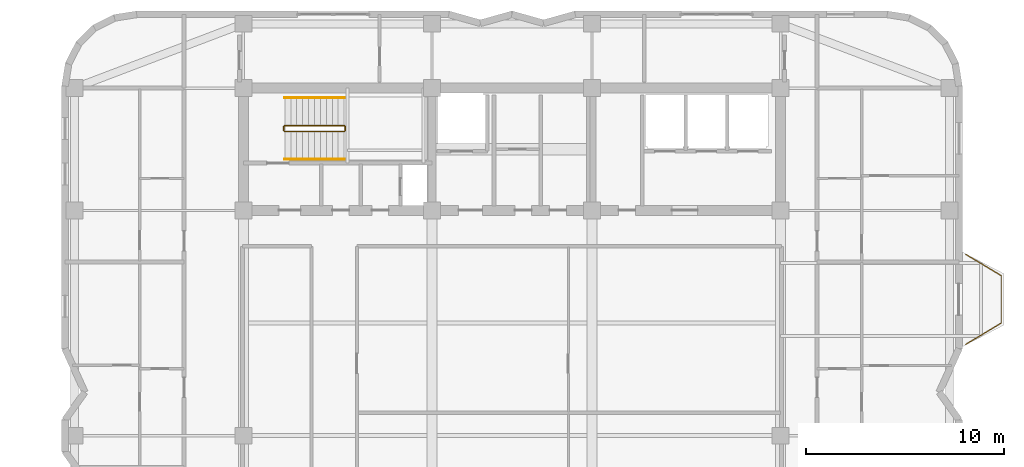
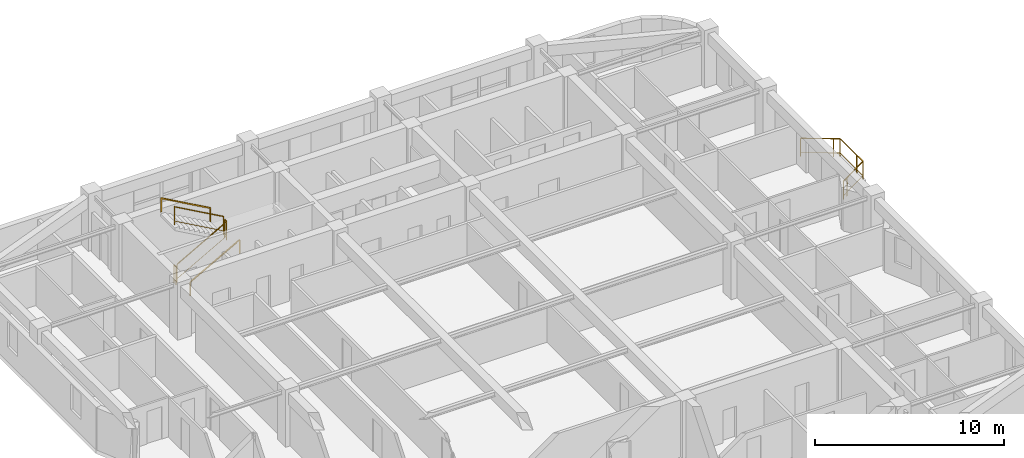
# One storey, part 14 of 14: 7 railings.
"""IFC4 building model written with IfcOpenShell, lengths in metres."""

from ifc_helpers import new_model, si_unit, direction, frame, origin, origin_2d, place, context, subcontext, project, spatial, rectangle, extrude, material, type_object, element, save


model = new_model("IFC4")

# Units and contexts
model_context = context("Model", 3, precision=1e-05, world=origin(), true_north=direction((0.0, 1.0)))
body_context = subcontext(model_context, "Body", "Model", "MODEL_VIEW")
ifc_project = project(units=[si_unit("LENGTHUNIT", "METRE"), si_unit("AREAUNIT", "SQUARE_METRE"), si_unit("VOLUMEUNIT", "CUBIC_METRE"), si_unit("PLANEANGLEUNIT", "RADIAN"), si_unit("MASSUNIT", "GRAM", prefix="KILO")], contexts=[model_context])

# Site, building, storey
site_placement = place(None, origin())
site = spatial("IfcSite", under=ifc_project, at=site_placement, CompositionType="ELEMENT")
building_placement = place(site_placement, origin())
building = spatial("IfcBuilding", under=site, at=building_placement, Name="Svetorya Sky Lyceum", CompositionType="ELEMENT")
storey_placement = place(building_placement, frame((0.0, 0.0, 218.39990234375)))
storey = spatial("IfcBuildingStorey", under=building, at=storey_placement, Name="L54", CompositionType="ELEMENT", Elevation=218.39990234375)

# Railings
ifc_material_1 = material(Name="Laminated safety glass and stainless AISI 316", Category="glass")
railing_type_1 = type_object("IfcRailingType", Name="RL-BAL-1200", PredefinedType="BALUSTRADE", material=ifc_material_1)
railing_1_placement = place(storey_placement, frame((62.169921875, 37.3798828125, 0.0)))
element("IfcRailing", 1, at=railing_1_placement, inside=storey, type_object=railing_type_1, Name="L54 Balcony Balustrade BAL-E1", PredefinedType="BALUSTRADE", context=body_context, shape_type="SweptSolid", body=[
    extrude(rectangle(XDim=0.048095703125, YDim=0.048095703125, at=origin_2d()), frame((0.0, 0.0, 1.17578125), z_axis=(0.85753397263, -0.514427337711, 0.0), x_axis=(0.514427337711, 0.85753397263, 0.0)), (0.0, 0.0, 1.0), 2.09912109375),
    extrude(rectangle(XDim=0.02392578125, YDim=0.02392578125, at=origin_2d()), frame((0.0, 0.0, 0.25), z_axis=(0.85753397263, -0.514427337711, 0.0), x_axis=(0.514427337711, 0.85753397263, 0.0)), (0.0, 0.0, 1.0), 2.09912109375),
    extrude(rectangle(XDim=0.048095703125, YDim=0.048095703125, at=origin_2d()), frame((1.800048828125, -1.079833984375, 1.17578125), z_axis=(0.0, -1.0, 0.0), x_axis=(1.0, 0.0, 0.0)), (0.0, 0.0, 1.0), 2.400146484375),
    extrude(rectangle(XDim=0.02392578125, YDim=0.02392578125, at=origin_2d()), frame((1.800048828125, -1.079833984375, 0.25), z_axis=(0.0, -1.0, 0.0), x_axis=(1.0, 0.0, 0.0)), (0.0, 0.0, 1.0), 2.400146484375),
    extrude(rectangle(XDim=0.048095703125, YDim=0.048095703125, at=origin_2d()), frame((1.800048828125, -3.47998046875, 1.17578125), z_axis=(-0.85753397263, -0.514427337711, 0.0), x_axis=(0.514427337711, -0.85753397263, 0.0)), (0.0, 0.0, 1.0), 2.09912109375),
    extrude(rectangle(XDim=0.02392578125, YDim=0.02392578125, at=origin_2d()), frame((1.800048828125, -3.47998046875, 0.25), z_axis=(-0.85753397263, -0.514427337711, 0.0), x_axis=(0.514427337711, -0.85753397263, 0.0)), (0.0, 0.0, 1.0), 2.09912109375),
    extrude(rectangle(XDim=0.0419921875, YDim=0.0419921875, at=origin_2d()), origin(), (0.0, 0.0, 1.0), 1.15185546875),
    extrude(rectangle(XDim=0.0419921875, YDim=0.0419921875, at=origin_2d()), frame((1.500732421875, -0.900146484375, 0.0)), (0.0, 0.0, 1.0), 1.15185546875),
    extrude(rectangle(XDim=0.0419921875, YDim=0.0419921875, at=origin_2d()), frame((1.800048828125, -1.079833984375, 0.0)), (0.0, 0.0, 1.0), 1.15185546875),
    extrude(rectangle(XDim=0.0419921875, YDim=0.0419921875, at=origin_2d()), frame((1.800048828125, -2.829833984375, 0.0)), (0.0, 0.0, 1.0), 1.15185546875),
    extrude(rectangle(XDim=0.0419921875, YDim=0.0419921875, at=origin_2d()), frame((1.800048828125, -3.47998046875, 0.0)), (0.0, 0.0, 1.0), 1.15185546875),
    extrude(rectangle(XDim=0.0419921875, YDim=0.0419921875, at=origin_2d()), frame((0.29931640625, -4.380126953125, 0.0)), (0.0, 0.0, 1.0), 1.15185546875),
    extrude(rectangle(XDim=0.0419921875, YDim=0.0419921875, at=origin_2d()), frame((0.0, -4.559814453125, 0.0)), (0.0, 0.0, 1.0), 1.15185546875),
])
ifc_material_2 = material(Name="Painted galvanized stair well guard")
railing_type_2 = type_object("IfcRailingType", Name="RL-STR-GUARD-1200", PredefinedType="GUARDRAIL", material=ifc_material_2)
railing_2_placement = place(storey_placement, frame((27.699951171875, 43.60009765625, 0.168212890625)))
element("IfcRailing", 2, at=railing_2_placement, inside=storey, type_object=railing_type_2, Name="L54 ST-N stair guard 1", PredefinedType="GUARDRAIL", context=body_context, shape_type="SweptSolid", body=[
    extrude(rectangle(XDim=0.048095703125, YDim=0.048095703125, at=origin_2d()), frame((0.0, 0.0, 1.17578125), z_axis=(0.872272294576, 0.0, 0.489020494575), x_axis=(0.0, 1.0, 0.0)), (0.0, 0.0, 1.0), 3.439208984375),
    extrude(rectangle(XDim=0.02392578125, YDim=0.02392578125, at=origin_2d()), frame((0.0, 0.0, 0.25), z_axis=(0.872272294576, 0.0, 0.489020494575), x_axis=(0.0, 1.0, 0.0)), (0.0, 0.0, 1.0), 3.439208984375),
    extrude(rectangle(XDim=0.0419921875, YDim=0.0419921875, at=origin_2d()), origin(), (0.0, 0.0, 1.0), 1.15185546875),
    extrude(rectangle(XDim=0.0419921875, YDim=0.0419921875, at=origin_2d()), frame((3.0, 0.0, 1.681884765625)), (0.0, 0.0, 1.0), 1.15185546875),
])
railing_3_placement = place(storey_placement, frame((30.75, 43.64990234375, 1.85009765625)))
element("IfcRailing", 3, at=railing_3_placement, inside=storey, type_object=railing_type_2, Name="L54 ST-N stair guard 2", PredefinedType="GUARDRAIL", context=body_context, shape_type="SweptSolid", body=[
    extrude(rectangle(XDim=0.048095703125, YDim=0.048095703125, at=origin_2d()), frame((0.0, 0.0, 1.17578125), z_axis=(0.0, 1.0, 0.0), x_axis=(-1.0, 0.0, 0.0)), (0.0, 0.0, 1.0), 0.2001953125),
    extrude(rectangle(XDim=0.02392578125, YDim=0.02392578125, at=origin_2d()), frame((0.0, 0.0, 0.25), z_axis=(0.0, 1.0, 0.0), x_axis=(-1.0, 0.0, 0.0)), (0.0, 0.0, 1.0), 0.2001953125),
    extrude(rectangle(XDim=0.0419921875, YDim=0.0419921875, at=origin_2d()), origin(), (0.0, 0.0, 1.0), 1.15185546875),
    extrude(rectangle(XDim=0.0419921875, YDim=0.0419921875, at=origin_2d()), frame((0.0, 0.2001953125, 0.0)), (0.0, 0.0, 1.0), 1.15185546875),
])
railing_4_placement = place(storey_placement, frame((30.699951171875, 43.89990234375, 2.018310546875)))
element("IfcRailing", 4, at=railing_4_placement, inside=storey, type_object=railing_type_2, Name="L54 ST-N stair guard 3", PredefinedType="GUARDRAIL", context=body_context, shape_type="SweptSolid", body=[
    extrude(rectangle(XDim=0.048095703125, YDim=0.048095703125, at=origin_2d()), frame((0.0, 0.0, 1.17578125), z_axis=(-0.872272294576, 0.0, 0.489020494575), x_axis=(0.0, -1.0, 0.0)), (0.0, 0.0, 1.0), 3.439208984375),
    extrude(rectangle(XDim=0.02392578125, YDim=0.02392578125, at=origin_2d()), frame((0.0, 0.0, 0.25), z_axis=(-0.872272294576, 0.0, 0.489020494575), x_axis=(0.0, -1.0, 0.0)), (0.0, 0.0, 1.0), 3.439208984375),
    extrude(rectangle(XDim=0.0419921875, YDim=0.0419921875, at=origin_2d()), origin(), (0.0, 0.0, 1.0), 1.15185546875),
    extrude(rectangle(XDim=0.0419921875, YDim=0.0419921875, at=origin_2d()), frame((-3.0, 0.0, 1.681884765625)), (0.0, 0.0, 1.0), 1.15185546875),
])
railing_5_placement = place(storey_placement, frame((27.64990234375, 43.64990234375, 0.0)))
element("IfcRailing", 5, at=railing_5_placement, inside=storey, type_object=railing_type_2, Name="L54 ST-N stair guard 4", PredefinedType="GUARDRAIL", context=body_context, shape_type="SweptSolid", body=[
    extrude(rectangle(XDim=0.048095703125, YDim=0.048095703125, at=origin_2d()), frame((0.0, 0.0, 1.17578125), z_axis=(0.0, 1.0, 0.0), x_axis=(-1.0, 0.0, 0.0)), (0.0, 0.0, 1.0), 0.2001953125),
    extrude(rectangle(XDim=0.02392578125, YDim=0.02392578125, at=origin_2d()), frame((0.0, 0.0, 0.25), z_axis=(0.0, 1.0, 0.0), x_axis=(-1.0, 0.0, 0.0)), (0.0, 0.0, 1.0), 0.2001953125),
    extrude(rectangle(XDim=0.0419921875, YDim=0.0419921875, at=origin_2d()), origin(), (0.0, 0.0, 1.0), 1.15185546875),
    extrude(rectangle(XDim=0.0419921875, YDim=0.0419921875, at=origin_2d()), frame((0.0, 0.2001953125, 0.0)), (0.0, 0.0, 1.0), 1.15185546875),
])
ifc_material_3 = material(Name="Brushed stainless AISI 304 stair handrail")
railing_type_3 = type_object("IfcRailingType", Name="RL-STR-HAND-920", PredefinedType="HANDRAIL", material=ifc_material_3)
railing_6_placement = place(storey_placement, frame((27.699951171875, 42.199951171875, 0.168212890625)))
element("IfcRailing", 6, at=railing_6_placement, inside=storey, type_object=railing_type_3, Name="L54 ST-N stair handrail 1", PredefinedType="HANDRAIL", context=body_context, shape_type="SweptSolid", body=[
    extrude(rectangle(XDim=0.048095703125, YDim=0.048095703125, at=origin_2d()), frame((0.0, 0.0, 0.8759765625), z_axis=(0.872272294576, 0.0, 0.489020494575), x_axis=(0.0, 1.0, 0.0)), (0.0, 0.0, 1.0), 3.439208984375),
    extrude(rectangle(XDim=0.0419921875, YDim=0.0419921875, at=origin_2d()), origin(), (0.0, 0.0, 1.0), 0.851806640625),
    extrude(rectangle(XDim=0.0419921875, YDim=0.0419921875, at=origin_2d()), frame((3.0, 0.0, 1.681884765625)), (0.0, 0.0, 1.0), 0.851806640625),
])
railing_7_placement = place(storey_placement, frame((30.699951171875, 45.300048828125, 2.018310546875)))
element("IfcRailing", 7, at=railing_7_placement, inside=storey, type_object=railing_type_3, Name="L54 ST-N stair handrail 2", PredefinedType="HANDRAIL", context=body_context, shape_type="SweptSolid", body=[
    extrude(rectangle(XDim=0.048095703125, YDim=0.048095703125, at=origin_2d()), frame((0.0, 0.0, 0.8759765625), z_axis=(-0.872272294576, 0.0, 0.489020494575), x_axis=(0.0, -1.0, 0.0)), (0.0, 0.0, 1.0), 3.439208984375),
    extrude(rectangle(XDim=0.0419921875, YDim=0.0419921875, at=origin_2d()), origin(), (0.0, 0.0, 1.0), 0.851806640625),
    extrude(rectangle(XDim=0.0419921875, YDim=0.0419921875, at=origin_2d()), frame((-3.0, 0.0, 1.681884765625)), (0.0, 0.0, 1.0), 0.851806640625),
])

save(model, "model.ifc")
